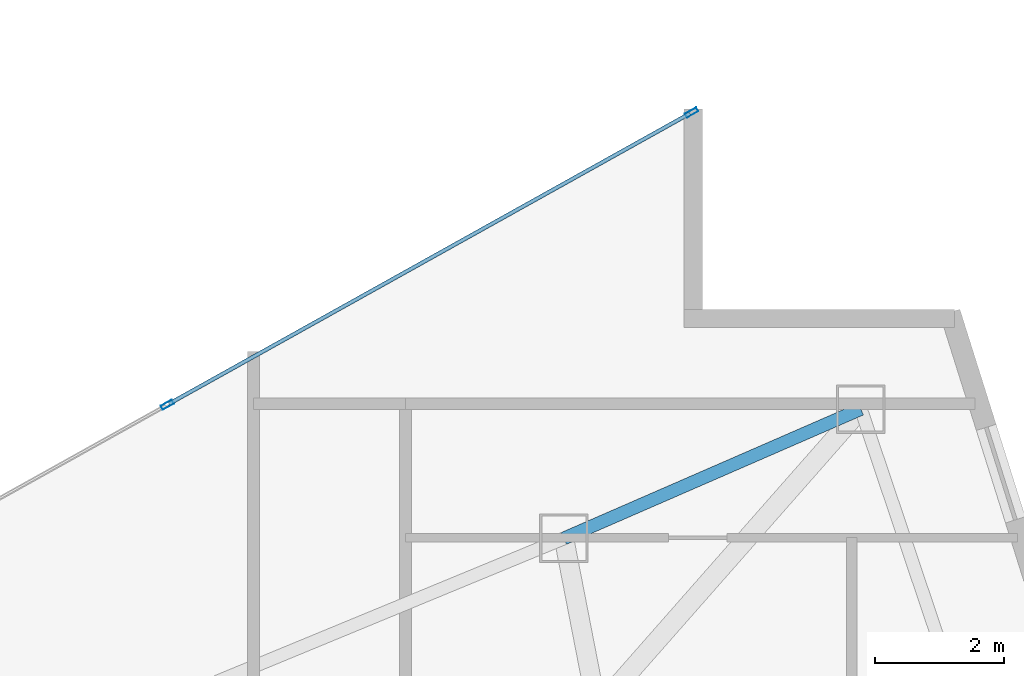
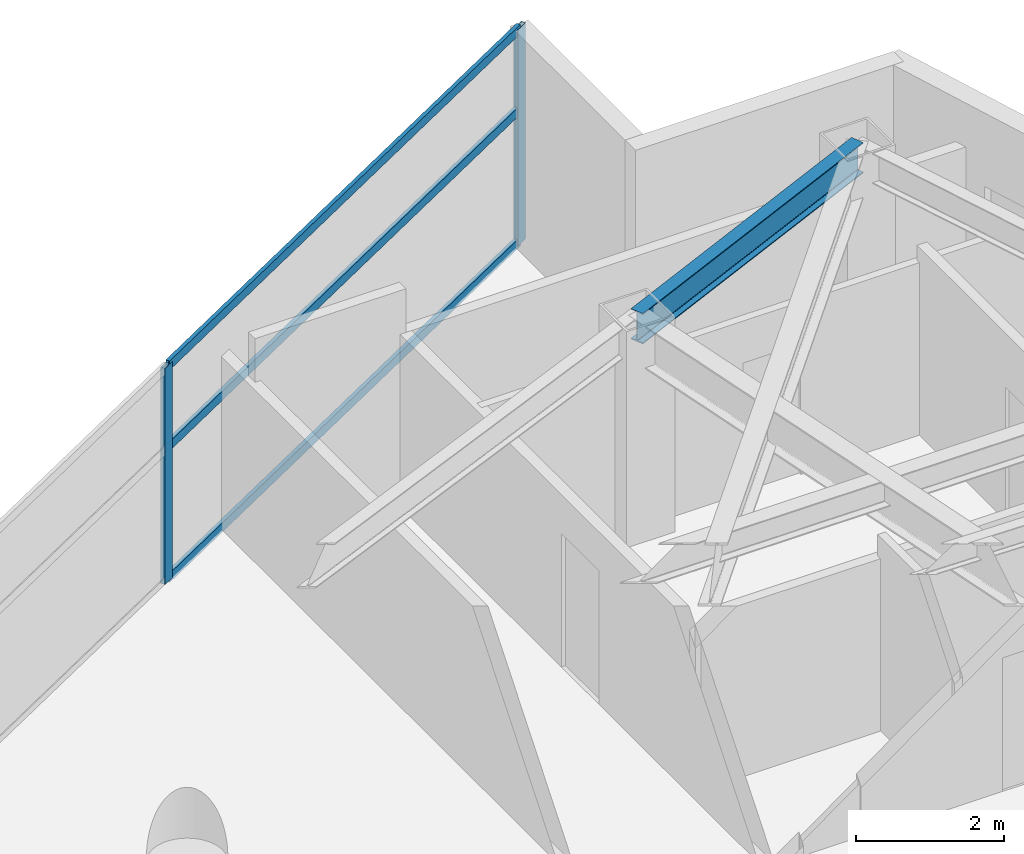
# One storey, part 20 of 28: 5 members, 1 beam, 1 element without a shape of its own.
"""IFC4 building model written with IfcOpenShell, lengths in metres."""

from ifc_helpers import new_model, si_unit, direction, frame, origin, origin_2d, place, context, subcontext, project, spatial, hollow_rectangle, i_section, extrude, material, layer, layer_set, material_profile, profile_set, type_object, element, aggregate, save


model = new_model("IFC4")

# Units and contexts
model_context = context("Model", 3, precision=1e-05, world=origin(), true_north=direction((0.0, 1.0)))
body_context = subcontext(model_context, "Body", "Model", "MODEL_VIEW")
ifc_project = project(units=[si_unit("LENGTHUNIT", "METRE"), si_unit("AREAUNIT", "SQUARE_METRE"), si_unit("VOLUMEUNIT", "CUBIC_METRE"), si_unit("PLANEANGLEUNIT", "RADIAN"), si_unit("MASSUNIT", "GRAM", prefix="KILO")], contexts=[model_context])

# Site, building, storey
site_placement = place(None, origin())
site = spatial("IfcSite", under=ifc_project, at=site_placement, CompositionType="ELEMENT")
building_placement = place(site_placement, origin())
building = spatial("IfcBuilding", under=site, at=building_placement, Name="Calvorn Quay Hotel", CompositionType="ELEMENT")
storey_placement = place(building_placement, frame((0.0, 0.0, 131.60009765625)))
storey = spatial("IfcBuildingStorey", under=building, at=storey_placement, Name="L32", CompositionType="ELEMENT", Elevation=131.60009765625)

# Beam
ifc_material_1 = material(Name="Steel Q355B", Category="steel")
ifc_material_profile_1 = material_profile(ifc_material_1, i_section(OverallWidth=0.199951171875, OverallDepth=0.5, WebThickness=0.010009765625, FlangeThickness=0.01611328125, FilletRadius=0.01611328125, at=origin_2d()), Name="HN500x200x10x16")
ifc_profile_set_1 = profile_set([ifc_material_profile_1], Name="Steel Q355B")
beam_type = type_object("IfcBeamType", Name="BM-SPANDREL-Z1", PredefinedType="SPANDREL", material=ifc_profile_set_1)
beam_placement = place(storey_placement, frame((48.591064453125, 33.39990234375, 3.289794921875), z_axis=(-0.916786146489, -0.399378469132, 0.0), x_axis=(0.399378469132, -0.916786146489, 0.0)))
element("IfcBeam", 1, at=beam_placement, inside=storey, type_object=beam_type, Name="Beam BSP-L32-E3", PredefinedType="SPANDREL", context=body_context, shape_type="SweptSolid", body=[
    extrude(i_section(OverallWidth=0.199951171875, OverallDepth=0.5, WebThickness=0.010009765625, FlangeThickness=0.01611328125, FilletRadius=0.01611328125, at=origin_2d()), origin(), (0.0, 0.0, 1.0), 5.0078125),
])

# Curtain wall, members
ifc_material_2 = material(Name="Pale Anodised Aluminium and Low-E Glass", Category="aluminium")
ifc_layer = layer(ifc_material_2, 0.219970703125)
ifc_layer_set = layer_set([ifc_layer], Name="CW-SYS-Z2")
curtain_wall_type = type_object("IfcCurtainWallType", Name="CW-SYS-Z2", PredefinedType="NOTDEFINED", material=ifc_layer_set)
curtain_wall_placement = place(storey_placement, origin())
curtain_wall = element("IfcCurtainWall", 2, at=curtain_wall_placement, inside=storey, type_object=curtain_wall_type, Name="Inner Court Curtain Wall L32-NE1", PredefinedType="NOTDEFINED")
ifc_material_3 = material(Name="Pale Anodised Aluminium 6063-T6", Category="aluminium")
ifc_material_profile_2 = material_profile(ifc_material_3, hollow_rectangle(XDim=0.070068359375, YDim=0.199951171875, WallThickness=0.00390625, at=origin_2d()), Name="ALU-M200x70x4")
ifc_profile_set_2 = profile_set([ifc_material_profile_2], Name="Pale Anodised Aluminium 6063-T6")
member_type_1 = type_object("IfcMemberType", Name="CW-SYS-Z2-MUL", PredefinedType="MULLION", material=ifc_profile_set_2)
member_1_placement = place(storey_placement, frame((45.973876953125, 37.9853515625, 0.0), z_axis=(0.0, 0.0, 1.0), x_axis=(0.486858256224, -0.873480989116, 0.0)))
member_1 = element("IfcMember", 3, at=member_1_placement, type_object=member_type_1, Name="CW-L32-NE1 mullion 1", PredefinedType="MULLION", context=body_context, shape_type="SweptSolid", body=[
    extrude(hollow_rectangle(XDim=0.070068359375, YDim=0.199951171875, WallThickness=0.00390625, at=origin_2d()), origin(), (0.0, 0.0, 1.0), 3.559814453125),
])
member_2_placement = place(storey_placement, frame((37.86669921875, 33.466552734375, 0.0), z_axis=(0.0, 0.0, 1.0), x_axis=(0.486858256224, -0.873480989116, 0.0)))
member_2 = element("IfcMember", 4, at=member_2_placement, type_object=member_type_1, Name="CW-L32-NE1 mullion 2", PredefinedType="MULLION", context=body_context, shape_type="SweptSolid", body=[
    extrude(hollow_rectangle(XDim=0.070068359375, YDim=0.199951171875, WallThickness=0.00390625, at=origin_2d()), origin(), (0.0, 0.0, 1.0), 3.559814453125),
])
ifc_material_4 = material(Name="Pale Anodised Aluminium 6063-T6", Category="aluminium")
ifc_material_profile_3 = material_profile(ifc_material_4, hollow_rectangle(XDim=0.06005859375, YDim=0.14990234375, WallThickness=0.00341796875, at=origin_2d()), Name="ALU-T150x60x3.5")
ifc_profile_set_3 = profile_set([ifc_material_profile_3], Name="Pale Anodised Aluminium 6063-T6")
member_type_2 = type_object("IfcMemberType", Name="CW-SYS-Z2-TRN", PredefinedType="USERDEFINED", material=ifc_profile_set_3)
member_3_placement = place(storey_placement, frame((45.947509765625, 37.970703125, 0.02978515625), z_axis=(-0.87348080454, -0.486858587375, 0.0), x_axis=(0.486858587375, -0.87348080454, 0.0)))
member_3 = element("IfcMember", 5, at=member_3_placement, type_object=member_type_2, Name="CW-L32-NE1 transom 1.1", ObjectType="TRANSOM", PredefinedType="USERDEFINED", context=body_context, shape_type="SweptSolid", body=[
    extrude(hollow_rectangle(XDim=0.06005859375, YDim=0.14990234375, WallThickness=0.00341796875, at=origin_2d()), origin(), (0.0, 0.0, 1.0), 9.221435546875),
])
member_4_placement = place(storey_placement, frame((45.947509765625, 37.970703125, 2.199951171875), z_axis=(-0.87348080454, -0.486858587375, 0.0), x_axis=(0.486858587375, -0.87348080454, 0.0)))
member_4 = element("IfcMember", 6, at=member_4_placement, type_object=member_type_2, Name="CW-L32-NE1 transom 1.2", ObjectType="TRANSOM", PredefinedType="USERDEFINED", context=body_context, shape_type="SweptSolid", body=[
    extrude(hollow_rectangle(XDim=0.06005859375, YDim=0.14990234375, WallThickness=0.00341796875, at=origin_2d()), origin(), (0.0, 0.0, 1.0), 9.221435546875),
])
member_5_placement = place(storey_placement, frame((45.947509765625, 37.970703125, 3.52978515625), z_axis=(-0.87348080454, -0.486858587375, 0.0), x_axis=(0.486858587375, -0.87348080454, 0.0)))
member_5 = element("IfcMember", 7, at=member_5_placement, type_object=member_type_2, Name="CW-L32-NE1 transom 1.3", ObjectType="TRANSOM", PredefinedType="USERDEFINED", context=body_context, shape_type="SweptSolid", body=[
    extrude(hollow_rectangle(XDim=0.06005859375, YDim=0.14990234375, WallThickness=0.00341796875, at=origin_2d()), origin(), (0.0, 0.0, 1.0), 9.221435546875),
])
aggregate(curtain_wall, [member_1, member_2, member_3, member_4, member_5])

save(model, "model.ifc")
